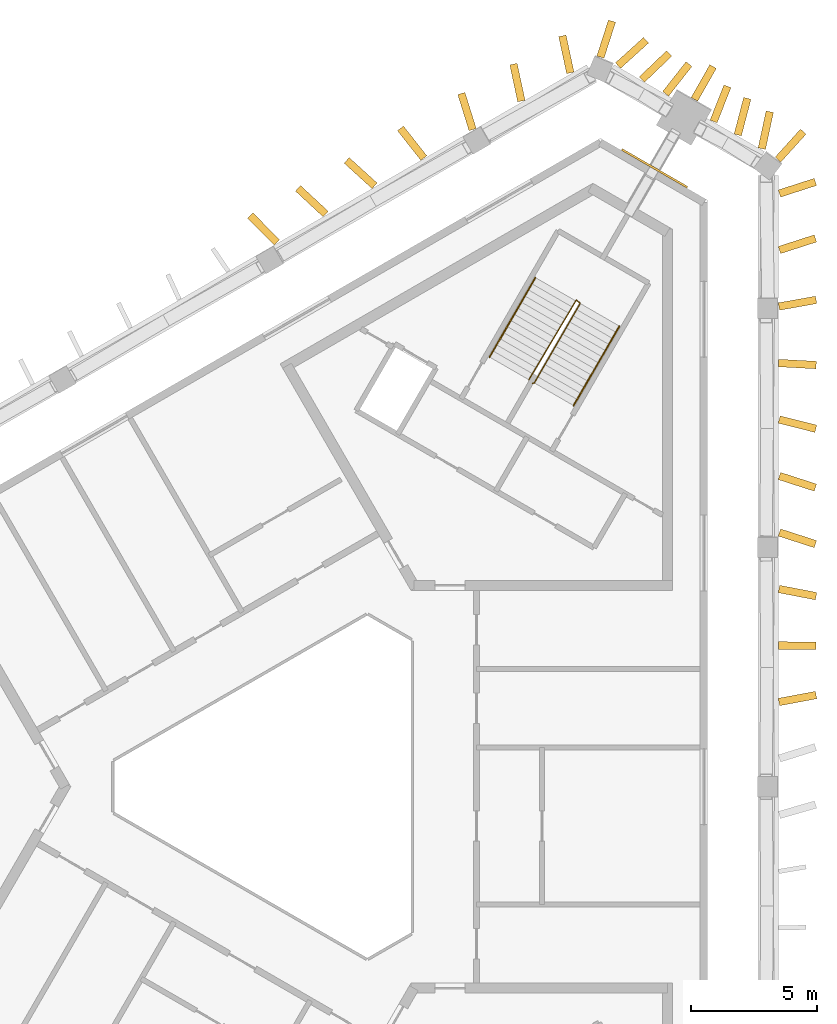
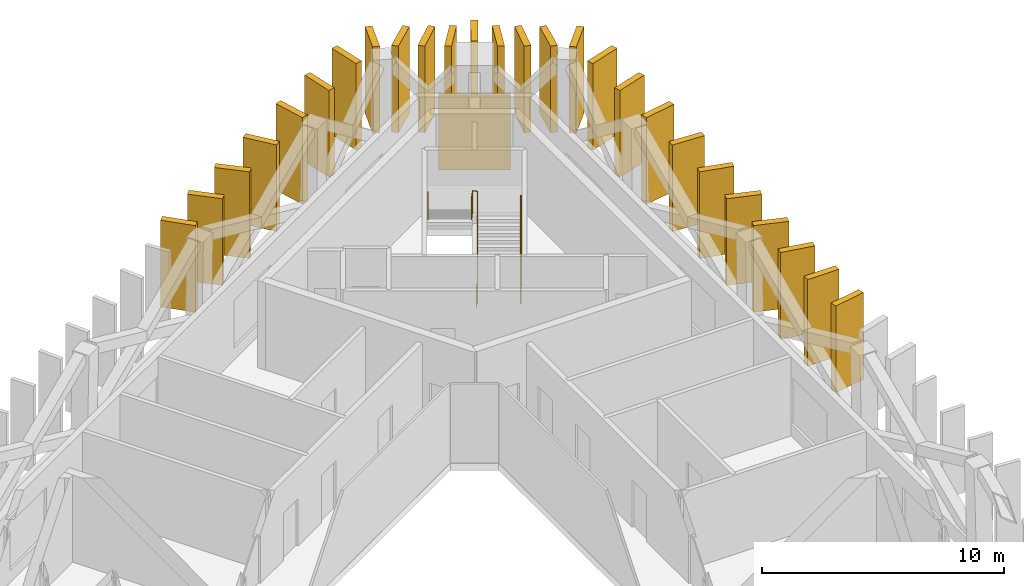
# One storey, part 8 of 8: 26 shading devices, 3 railings, 1 covering.
"""IFC4 building model written with IfcOpenShell, lengths in metres."""

from ifc_helpers import new_model, si_unit, direction, frame, frame_2d, origin, origin_2d, place, context, subcontext, project, spatial, rectangle, circle, extrude, material, layer, layer_set, type_object, element, save


model = new_model("IFC4")

# Units and contexts
model_context = context("Model", 3, precision=1e-05, world=origin(), true_north=direction((0.0, 1.0)))
body_context = subcontext(model_context, "Body", "Model", "MODEL_VIEW")
ifc_project = project(units=[si_unit("LENGTHUNIT", "METRE"), si_unit("AREAUNIT", "SQUARE_METRE"), si_unit("VOLUMEUNIT", "CUBIC_METRE"), si_unit("PLANEANGLEUNIT", "RADIAN"), si_unit("MASSUNIT", "GRAM", prefix="KILO")], contexts=[model_context])

# Site, building, storey
site_placement = place(None, origin())
site = spatial("IfcSite", under=ifc_project, at=site_placement, CompositionType="ELEMENT")
building_placement = place(site_placement, origin())
building = spatial("IfcBuilding", under=site, at=building_placement, Name="Jabali Bay Hotel Tower and Convention Centre", CompositionType="ELEMENT")
storey_placement = place(building_placement, frame((0.0, 0.0, 296.0)))
storey = spatial("IfcBuildingStorey", under=building, at=storey_placement, Name="L73", CompositionType="ELEMENT", Elevation=296.0)

# Shading devices
ifc_material_1 = material(Name="Precast concrete C60", Category="concrete")
ifc_layer_1 = layer(ifc_material_1, 0.300048828125)
ifc_layer_set_1 = layer_set([ifc_layer_1], Name="Precast concrete C60")
shading_device_type = type_object("IfcShadingDeviceType", Name="Precast fin 4380 x 1500", PredefinedType="USERDEFINED", material=ifc_layer_set_1)
for number, where, z_axis, x_axis, name in (
    (1, (94.107421875, 83.363525390625, 0.010009765625), (0.0, 0.0, 1.0), (0.982910859283, 0.184082162916, 0.0), "Fin L73 012"),
    (2, (94.080078125, 85.605712890625, 0.010009765625), (0.0, 0.0, 1.0), (0.999996172079, -0.002766916492, 0.0), "Fin L73 013"),
    (3, (94.108154296875, 87.847900390625, 0.010009765625), (0.0, 0.0, 1.0), (0.981891339404, -0.189444972496, 0.0), "Fin L73 014"),
    (4, (94.125732421875, 90.09033203125, 0.010009765625), (0.0, 0.0, 1.0), (0.951777621698, -0.30678878538, 0.0), "Fin L73 015"),
    (5, (94.125732421875, 92.33251953125, 0.010009765625), (0.0, 0.0, 1.0), (0.951825135568, -0.306641339844, 0.0), "Fin L73 016"),
    (6, (94.116455078125, 94.574951171875, 0.010009765625), (0.0, 0.0, 1.0), (0.969613608495, -0.244641472816, 0.0), "Fin L73 017"),
    (7, (94.087890625, 96.817138671875, 0.010009765625), (0.0, 0.0, 1.0), (0.998547721258, -0.053874375833, 0.0), "Fin L73 018"),
):
    element("IfcShadingDevice", number, at=place(storey_placement, frame(where, z_axis=z_axis, x_axis=x_axis)), inside=storey, type_object=shading_device_type, Name=name, ObjectType="FIN", PredefinedType="USERDEFINED", context=body_context, shape_type="SweptSolid", body=[
        extrude(rectangle(XDim=1.5, YDim=0.300048828125, at=frame_2d((0.75, 0.0))), origin(), (0.0, 0.0, 1.0), 4.3798828125),
    ])
shading_device_1_placement = place(storey_placement, frame((94.10595703125, 99.0595703125, 0.010009765625), z_axis=(0.0, 0.0, 1.0), x_axis=(0.984483863588, 0.175475133093, 0.0)))
element("IfcShadingDevice", 8, at=shading_device_1_placement, inside=storey, type_object=shading_device_type, Name="Fin L73 019", ObjectType="FIN", PredefinedType="USERDEFINED", context=body_context, shape_type="SweptSolid", body=[
    extrude(rectangle(XDim=1.499755859375, YDim=0.300048828125, at=frame_2d((0.75, 0.0))), origin(), (0.0, 0.0, 1.0), 4.3798828125),
])
for number, where, z_axis, x_axis, name in (
    (9, (94.125732421875, 101.3017578125, 0.010009765625), (0.0, 0.0, 1.0), (0.951777621698, 0.30678878538, 0.0), "Fin L73 020"),
    (10, (94.125732421875, 103.5439453125, 0.010009765625), (0.0, 0.0, 1.0), (0.951777621698, 0.30678878538, 0.0), "Fin L73 021"),
):
    element("IfcShadingDevice", number, at=place(storey_placement, frame(where, z_axis=z_axis, x_axis=x_axis)), inside=storey, type_object=shading_device_type, Name=name, ObjectType="FIN", PredefinedType="USERDEFINED", context=body_context, shape_type="SweptSolid", body=[
        extrude(rectangle(XDim=1.5, YDim=0.300048828125, at=frame_2d((0.75, 0.0))), origin(), (0.0, 0.0, 1.0), 4.3798828125),
    ])
shading_device_2_placement = place(storey_placement, frame((93.427001953125, 105.326171875, 0.010009765625), z_axis=(0.0, 0.0, 1.0), x_axis=(0.210307173215, 0.977635357838, 0.0)))
element("IfcShadingDevice", 11, at=shading_device_2_placement, inside=storey, type_object=shading_device_type, Name="Fin L73 022", ObjectType="FIN", PredefinedType="USERDEFINED", context=body_context, shape_type="SweptSolid", body=[
    extrude(rectangle(XDim=1.499755859375, YDim=0.300048828125, at=frame_2d((0.75, 0.0))), origin(), (0.0, 0.0, 1.0), 4.3798828125),
])
for number, where, z_axis, x_axis, name in (
    (12, (92.47265625, 105.869873046875, 0.010009765625), (0.0, 0.0, 1.0), (0.252786317689, 0.967522132868, 0.0), "Fin L73 023"),
    (13, (91.512451171875, 106.40380859375, 0.010009765625), (0.0, 0.0, 1.0), (0.367514851172, 0.930017652611, 0.0), "Fin L73 024"),
):
    element("IfcShadingDevice", number, at=place(storey_placement, frame(where, z_axis=z_axis, x_axis=x_axis)), inside=storey, type_object=shading_device_type, Name=name, ObjectType="FIN", PredefinedType="USERDEFINED", context=body_context, shape_type="SweptSolid", body=[
        extrude(rectangle(XDim=1.5, YDim=0.300048828125, at=frame_2d((0.75, 0.0))), origin(), (0.0, 0.0, 1.0), 4.3798828125),
    ])
shading_device_3_placement = place(storey_placement, frame((90.75048828125, 107.28076171875, 0.010009765625), z_axis=(0.0, 0.0, 1.0), x_axis=(0.49468325414, 0.869073344473, 0.0)))
element("IfcShadingDevice", 14, at=shading_device_3_placement, inside=storey, type_object=shading_device_type, Name="Fin L73 025", ObjectType="FIN", PredefinedType="USERDEFINED", context=body_context, shape_type="SweptSolid", body=[
    extrude(rectangle(XDim=1.499755859375, YDim=0.300048828125, at=frame_2d((0.75, 0.0))), origin(), (0.0, 0.0, 1.0), 4.3798828125),
])
shading_device_4_placement = place(storey_placement, frame((89.609619140625, 107.50146484375, 0.010009765625), z_axis=(0.0, 0.0, 1.0), x_axis=(0.617943731762, 0.786222325031, 0.0)))
element("IfcShadingDevice", 15, at=shading_device_4_placement, inside=storey, type_object=shading_device_type, Name="Fin L73 026", ObjectType="FIN", PredefinedType="USERDEFINED", context=body_context, shape_type="SweptSolid", body=[
    extrude(rectangle(XDim=1.500244140625, YDim=0.300048828125, at=frame_2d((0.75, 0.0))), origin(), (0.0, 0.0, 1.0), 4.3798828125),
])
for number, where, z_axis, x_axis, name in (
    (16, (88.668701171875, 108.068603515625, 0.010009765625), (0.0, 0.0, 1.0), (0.722320118916, 0.691558852022, 0.0), "Fin L73 027"),
    (17, (87.719482421875, 108.621337890625, 0.010009765625), (0.0, 0.0, 1.0), (0.741543490988, 0.670904800231, 0.0), "Fin L73 028"),
):
    element("IfcShadingDevice", number, at=place(storey_placement, frame(where, z_axis=z_axis, x_axis=x_axis)), inside=storey, type_object=shading_device_type, Name=name, ObjectType="FIN", PredefinedType="USERDEFINED", context=body_context, shape_type="SweptSolid", body=[
        extrude(rectangle(XDim=1.5, YDim=0.300048828125, at=frame_2d((0.75, 0.0))), origin(), (0.0, 0.0, 1.0), 4.3798828125),
    ])
for number, where, z_axis, x_axis, name in (
    (18, (85.826904296875, 108.33544921875, 0.010009765625), (0.0, 0.0, 1.0), (-0.210307173215, 0.977635357838, 0.0), "Fin L73 029"),
    (19, (83.885009765625, 107.21435546875, 0.010009765625), (0.0, 0.0, 1.0), (-0.210307173215, 0.977635357838, 0.0), "Fin L73 030"),
):
    element("IfcShadingDevice", number, at=place(storey_placement, frame(where, z_axis=z_axis, x_axis=x_axis)), inside=storey, type_object=shading_device_type, Name=name, ObjectType="FIN", PredefinedType="USERDEFINED", context=body_context, shape_type="SweptSolid", body=[
        extrude(rectangle(XDim=1.499755859375, YDim=0.300048828125, at=frame_2d((0.75, 0.0))), origin(), (0.0, 0.0, 1.0), 4.3798828125),
    ])
for number, where, z_axis, x_axis, name in (
    (20, (81.94970703125, 106.08154296875, 0.010009765625), (0.0, 0.0, 1.0), (-0.298006231196, 0.954563924611, 0.0), "Fin L73 031"),
    (21, (80.013427734375, 104.95068359375, 0.010009765625), (0.0, 0.0, 1.0), (-0.618482636474, 0.785798465499, 0.0), "Fin L73 032"),
):
    element("IfcShadingDevice", number, at=place(storey_placement, frame(where, z_axis=z_axis, x_axis=x_axis)), inside=storey, type_object=shading_device_type, Name=name, ObjectType="FIN", PredefinedType="USERDEFINED", context=body_context, shape_type="SweptSolid", body=[
        extrude(rectangle(XDim=1.5, YDim=0.300048828125, at=frame_2d((0.75, 0.0))), origin(), (0.0, 0.0, 1.0), 4.3798828125),
    ])
for number, where, z_axis, x_axis, name in (
    (22, (78.0595703125, 103.8505859375, 0.010009765625), (0.0, 0.0, 1.0), (-0.7396895855, 0.672948227654, 0.0), "Fin L73 033"),
    (23, (76.118408203125, 102.72802734375, 0.010009765625), (0.0, 0.0, 1.0), (-0.732045128936, 0.681256140671, 0.0), "Fin L73 034"),
):
    element("IfcShadingDevice", number, at=place(storey_placement, frame(where, z_axis=z_axis, x_axis=x_axis)), inside=storey, type_object=shading_device_type, Name=name, ObjectType="FIN", PredefinedType="USERDEFINED", context=body_context, shape_type="SweptSolid", body=[
        extrude(rectangle(XDim=1.499755859375, YDim=0.300048828125, at=frame_2d((0.75, 0.0))), origin(), (0.0, 0.0, 1.0), 4.3798828125),
    ])
for number, where, z_axis, x_axis, name in (
    (24, (74.1796875, 101.601318359375, 0.010009765625), (0.0, 0.0, 1.0), (-0.701386792552, 0.712780869015, 0.0), "Fin L73 035"),
    (25, (94.067626953125, 104.88916015625, 0.010009765625), (0.0, 0.0, 1.0), (0.670904800231, 0.741543490988, 0.0), "Fin L73 088"),
    (26, (87.020751953125, 108.957763671875, 0.010009765625), (0.0, 0.0, 1.0), (0.30678878538, 0.951777621698, 0.0), "Fin L73 089"),
):
    element("IfcShadingDevice", number, at=place(storey_placement, frame(where, z_axis=z_axis, x_axis=x_axis)), inside=storey, type_object=shading_device_type, Name=name, ObjectType="FIN", PredefinedType="USERDEFINED", context=body_context, shape_type="SweptSolid", body=[
        extrude(rectangle(XDim=1.5, YDim=0.300048828125, at=frame_2d((0.75, 0.0))), origin(), (0.0, 0.0, 1.0), 4.3798828125),
    ])

# Covering
ifc_material_2 = material(Name="Precast concrete C40/50", Category="concrete")
ifc_layer_2 = layer(ifc_material_2, 0.080078125)
ifc_layer_set_2 = layer_set([ifc_layer_2], Name="Precast concrete C40/50")
covering_type = type_object("IfcCoveringType", Name="Relief panel 3000 x 3800", PredefinedType="CLADDING", material=ifc_layer_set_2)
covering_placement = place(storey_placement, frame((89.170166015625, 104.543701171875, 0.10009765625), z_axis=(0.0, 0.0, 1.0), x_axis=(0.866025443735, -0.499999930804, 0.0)))
element("IfcCovering", 27, at=covering_placement, inside=storey, type_object=covering_type, Name="Relief panel L73", PredefinedType="CLADDING", context=body_context, shape_type="SweptSolid", body=[
    extrude(rectangle(XDim=3.0, YDim=0.080078125, at=origin_2d()), origin(), (0.0, 0.0, 1.0), 3.800048828125),
])

# Railings
ifc_material_3 = material(Name="Steel Q355B", Category="steel")
railing_type_1 = type_object("IfcRailingType", Name="Stair guard 1100", PredefinedType="GUARDRAIL", material=ifc_material_3)
railing_1_placement = place(storey_placement, frame((84.329833984375, 96.010009765625, 0.0)))
element("IfcRailing", 28, at=railing_1_placement, inside=storey, type_object=railing_type_1, Name="L73 ST2 stair guard 1", PredefinedType="GUARDRAIL", context=body_context, shape_type="SweptSolid", body=[
    extrude(circle(Radius=0.02392578125, at=origin_2d()), frame((0.0, 0.0, 1.076171875), z_axis=(0.396471330136, 0.106197677715, 0.911884059312), x_axis=(-0.258736085224, 0.965948051503, 0.0)), (0.0, 0.0, 1.0), 0.17236328125),
    extrude(circle(Radius=0.02392578125, at=origin_2d()), frame((0.068359375, 0.018310546875, 1.2333984375), z_axis=(0.436044357701, 0.755225318126, 0.48938740991), x_axis=(-0.866018046521, 0.500012742938, 0.0)), (0.0, 0.0, 1.0), 4.174072265625),
    extrude(circle(Radius=0.02392578125, at=origin_2d()), frame((1.888427734375, 3.170654296875, 3.27587890625), z_axis=(-0.718850276695, 0.695164929852, 0.0), x_axis=(-0.695164929852, -0.718850276695, 0.0)), (0.0, 0.0, 1.0), 0.2060546875),
    extrude(circle(Radius=0.02392578125, at=origin_2d()), frame((1.740234375, 3.31396484375, 3.27587890625), z_axis=(-0.439537937446, -0.737980503376, 0.512046070372), x_axis=(0.859157857954, -0.511710636118, 0.0)), (0.0, 0.0, 1.0), 4.29638671875),
    extrude(circle(Radius=0.02099609375, at=origin_2d()), origin(), (0.0, 0.0, 1.0), 1.052001953125),
    extrude(circle(Radius=0.02099609375, at=origin_2d()), frame((0.068359375, 0.018310546875, 0.1572265625)), (0.0, 0.0, 1.0), 1.052001953125),
    extrude(circle(Radius=0.02099609375, at=origin_2d()), frame((0.5234375, 0.806396484375, 0.66796875)), (0.0, 0.0, 1.0), 1.052001953125),
    extrude(circle(Radius=0.02099609375, at=origin_2d()), frame((0.978515625, 1.594482421875, 1.1787109375)), (0.0, 0.0, 1.0), 1.052001953125),
    extrude(circle(Radius=0.02099609375, at=origin_2d()), frame((1.433349609375, 2.382568359375, 1.689208984375)), (0.0, 0.0, 1.0), 1.052001953125),
    extrude(circle(Radius=0.02099609375, at=origin_2d()), frame((1.888427734375, 3.170654296875, 2.199951171875)), (0.0, 0.0, 1.0), 1.052001953125),
    extrude(circle(Radius=0.02099609375, at=origin_2d()), frame((1.740234375, 3.31396484375, 2.199951171875)), (0.0, 0.0, 1.0), 1.052001953125),
    extrude(circle(Radius=0.02099609375, at=origin_2d()), frame((1.26806640625, 2.521240234375, 2.75)), (0.0, 0.0, 1.0), 1.052001953125),
    extrude(circle(Radius=0.02099609375, at=origin_2d()), frame((0.7958984375, 1.728515625, 3.2998046875)), (0.0, 0.0, 1.0), 1.052001953125),
    extrude(circle(Radius=0.02099609375, at=origin_2d()), frame((0.323974609375, 0.93603515625, 3.849853515625)), (0.0, 0.0, 1.0), 1.052001953125),
    extrude(circle(Radius=0.02099609375, at=origin_2d()), frame((-0.148193359375, 0.143310546875, 4.39990234375)), (0.0, 0.0, 1.0), 1.052001953125),
])
railing_type_2 = type_object("IfcRailingType", Name="Stair handrail 900", PredefinedType="HANDRAIL", material=ifc_material_3)
railing_2_placement = place(storey_placement, frame((85.95703125, 95.128173828125, 0.1572265625)))
element("IfcRailing", 29, at=railing_2_placement, inside=storey, type_object=railing_type_2, Name="L73 ST2 stair handrail 1", PredefinedType="HANDRAIL", context=body_context, shape_type="SweptSolid", body=[
    extrude(circle(Radius=0.02392578125, at=origin_2d()), frame((0.0, 0.0, 0.8759765625), z_axis=(0.436044357701, 0.755225318126, 0.48938740991), x_axis=(-0.866018046521, 0.500012742938, 0.0)), (0.0, 0.0, 1.0), 4.174072265625),
    extrude(circle(Radius=0.02099609375, at=origin_2d()), origin(), (0.0, 0.0, 1.0), 0.851806640625),
    extrude(circle(Radius=0.02099609375, at=origin_2d()), frame((0.455078125, 0.7880859375, 0.5107421875)), (0.0, 0.0, 1.0), 0.851806640625),
    extrude(circle(Radius=0.02099609375, at=origin_2d()), frame((0.91015625, 1.576171875, 1.021484375)), (0.0, 0.0, 1.0), 0.851806640625),
    extrude(circle(Radius=0.02099609375, at=origin_2d()), frame((1.364990234375, 2.3642578125, 1.531982421875)), (0.0, 0.0, 1.0), 0.851806640625),
    extrude(circle(Radius=0.02099609375, at=origin_2d()), frame((1.820068359375, 3.15234375, 2.042724609375)), (0.0, 0.0, 1.0), 0.851806640625),
])
railing_3_placement = place(storey_placement, frame((84.44287109375, 100.20556640625, 2.357177734375)))
element("IfcRailing", 30, at=railing_3_placement, inside=storey, type_object=railing_type_2, Name="L73 ST2 stair handrail 2", PredefinedType="HANDRAIL", context=body_context, shape_type="SweptSolid", body=[
    extrude(circle(Radius=0.02392578125, at=origin_2d()), frame((0.0, 0.0, 0.8759765625), z_axis=(-0.436044357701, -0.755225318126, 0.48938740991), x_axis=(0.866018046521, -0.500012742938, 0.0)), (0.0, 0.0, 1.0), 4.174072265625),
    extrude(circle(Radius=0.02099609375, at=origin_2d()), origin(), (0.0, 0.0, 1.0), 0.851806640625),
    extrude(circle(Radius=0.02099609375, at=origin_2d()), frame((-0.455078125, -0.7880859375, 0.5107421875)), (0.0, 0.0, 1.0), 0.851806640625),
    extrude(circle(Radius=0.02099609375, at=origin_2d()), frame((-0.91015625, -1.576171875, 1.021484375)), (0.0, 0.0, 1.0), 0.851806640625),
    extrude(circle(Radius=0.02099609375, at=origin_2d()), frame((-1.364990234375, -2.3642578125, 1.531982421875)), (0.0, 0.0, 1.0), 0.851806640625),
    extrude(circle(Radius=0.02099609375, at=origin_2d()), frame((-1.820068359375, -3.15234375, 2.042724609375)), (0.0, 0.0, 1.0), 0.851806640625),
])

save(model, "model.ifc")
